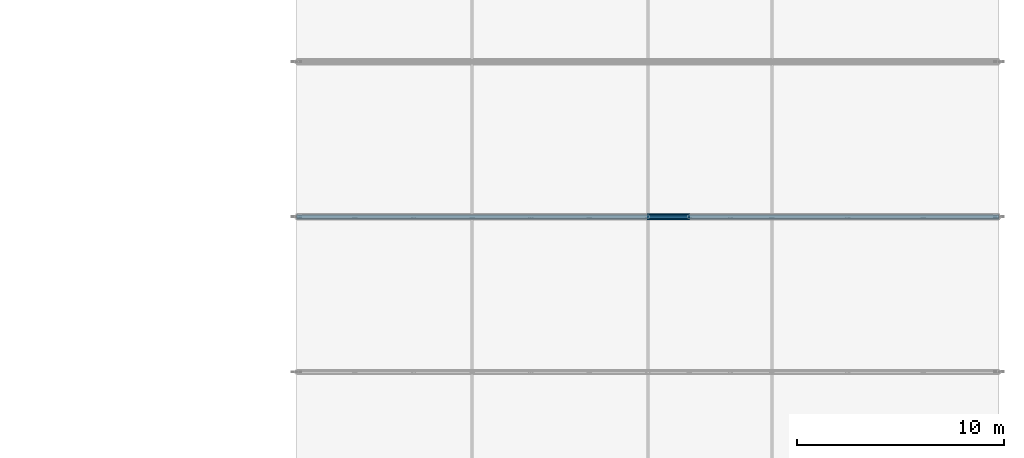
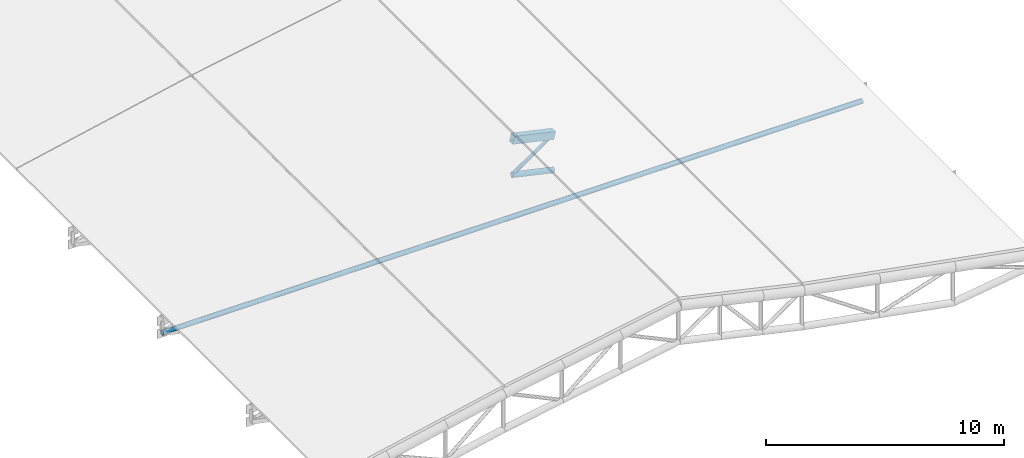
# One storey, part 5 of 28: 3 members, 1 beam.
"""IFC4 building model written with IfcOpenShell, lengths in metres."""

from ifc_helpers import new_model, si_unit, direction, frame, origin, origin_2d, place, context, subcontext, project, spatial, hollow_rectangle, hollow_circle, extrude, material, material_profile, profile_set, type_object, element, save


model = new_model("IFC4")

# Units and contexts
model_context = context("Model", 3, precision=1e-05, world=origin(), true_north=direction((0.0, 1.0)))
body_context = subcontext(model_context, "Body", "Model", "MODEL_VIEW")
ifc_project = project(units=[si_unit("LENGTHUNIT", "METRE"), si_unit("AREAUNIT", "SQUARE_METRE"), si_unit("VOLUMEUNIT", "CUBIC_METRE"), si_unit("PLANEANGLEUNIT", "RADIAN"), si_unit("MASSUNIT", "GRAM", prefix="KILO"), si_unit("THERMODYNAMICTEMPERATUREUNIT", "KELVIN"), si_unit("POWERUNIT", "WATT")], contexts=[model_context])

# Site, building, storey
site_placement = place(None, origin())
site = spatial("IfcSite", under=ifc_project, at=site_placement, CompositionType="ELEMENT")
building_placement = place(site_placement, origin())
building = spatial("IfcBuilding", under=site, at=building_placement, Name="Tepalcoro Natatorium and Aquatics Centre", CompositionType="ELEMENT")
storey_placement = place(building_placement, frame((0.0, 0.0, 23.199951171875)))
storey = spatial("IfcBuildingStorey", under=building, at=storey_placement, Name="RF", CompositionType="ELEMENT", Elevation=23.199951171875)

# Beam
ifc_material = material(Name="Terracotta Painted Hollow Steel ASTM A500 Grade C (Fy 345 MPa)", Category="masonry")
ifc_material_profile_1 = material_profile(ifc_material, hollow_rectangle(XDim=0.300048828125, YDim=0.39990234375, WallThickness=0.01611328125, at=origin_2d()), Name="HSS400X300X16")
ifc_profile_set_1 = profile_set([ifc_material_profile_1], Name="Terracotta Painted Hollow Steel ASTM A500 Grade C (Fy 345 MPa)")
beam_type = type_object("IfcBeamType", Name="AC_HSS400x300x16", PredefinedType="USERDEFINED", material=ifc_profile_set_1)
beam_placement = place(storey_placement, frame((159.0, 20.5, -0.302978515625), z_axis=(0.97561485681, 0.0, -0.21948952406), x_axis=(0.0, 1.0, 0.0)))
element("IfcBeam", 1, at=beam_placement, inside=storey, type_object=beam_type, Name="V2 Barrel-Arch Top Chord 3", ObjectType="ARCH CHORD", PredefinedType="USERDEFINED", context=body_context, shape_type="SweptSolid", body=[
    extrude(hollow_rectangle(XDim=0.300048828125, YDim=0.39990234375, WallThickness=0.01611328125, at=origin_2d()), origin(), (0.0, 0.0, 1.0), 2.050048828125),
])

# Members
ifc_material_profile_2 = material_profile(ifc_material, hollow_circle(Radius=0.1220703125, WallThickness=0.01611328125, at=origin_2d()), Name="CHS244X16")
ifc_profile_set_2 = profile_set([ifc_material_profile_2], Name="Terracotta Painted Hollow Steel ASTM A500 Grade C (Fy 345 MPa)")
member_type_1 = type_object("IfcMemberType", Name="MB_AT_CHS244x16", PredefinedType="USERDEFINED", material=ifc_profile_set_2)
member_1_placement = place(storey_placement, frame((142.0, 20.5, -4.31298828125), z_axis=(1.0, 0.0, 0.0), x_axis=(0.0, 1.0, 0.0)))
element("IfcMember", 2, at=member_1_placement, inside=storey, type_object=member_type_1, Name="V2 Barrel-Arch Tie 3", ObjectType="ARCH TIE", PredefinedType="USERDEFINED", context=body_context, shape_type="SweptSolid", body=[
    extrude(hollow_circle(Radius=0.1220703125, WallThickness=0.01611328125, at=origin_2d()), origin(), (0.0, 0.0, 1.0), 34.0),
])
ifc_material_profile_3 = material_profile(ifc_material, hollow_circle(Radius=0.136474609375, WallThickness=0.01611328125, at=origin_2d()), Name="CHS273X16")
ifc_profile_set_3 = profile_set([ifc_material_profile_3], Name="Terracotta Painted Hollow Steel ASTM A500 Grade C (Fy 345 MPa)")
member_type_2 = type_object("IfcMemberType", Name="MB_CH_CHS273x16", PredefinedType="CHORD", material=ifc_profile_set_3)
member_2_placement = place(storey_placement, frame((159.0, 20.5, -2.15283203125), z_axis=(0.975589348514, 0.0, -0.219602875813), x_axis=(0.0, 1.0, 0.0)))
element("IfcMember", 3, at=member_2_placement, inside=storey, type_object=member_type_2, Name="V2 Barrel-Arch Bottom Chord 3", PredefinedType="CHORD", context=body_context, shape_type="SweptSolid", body=[
    extrude(hollow_circle(Radius=0.136474609375, WallThickness=0.01611328125, at=origin_2d()), origin(), (0.0, 0.0, 1.0), 2.050048828125),
])
ifc_material_profile_4 = material_profile(ifc_material, hollow_circle(Radius=0.083984375, WallThickness=0.011962890625, at=origin_2d()), Name="CHS168X12")
ifc_profile_set_4 = profile_set([ifc_material_profile_4], Name="Terracotta Painted Hollow Steel ASTM A500 Grade C (Fy 345 MPa)")
member_type_3 = type_object("IfcMemberType", Name="MB_ST_CHS168x12", PredefinedType="STRUT", material=ifc_profile_set_4)
member_3_placement = place(storey_placement, frame((159.0, 20.5, -2.15283203125), z_axis=(0.819250713189, 0.0, 0.573435496756), x_axis=(0.0, 1.0, 0.0)))
element("IfcMember", 4, at=member_3_placement, inside=storey, type_object=member_type_3, Name="V2 Barrel-Arch Web Diagonal 3", PredefinedType="STRUT", context=body_context, shape_type="SweptSolid", body=[
    extrude(hollow_circle(Radius=0.083984375, WallThickness=0.011962890625, at=origin_2d()), origin(), (0.0, 0.0, 1.0), 2.441162109375),
])

save(model, "model.ifc")
